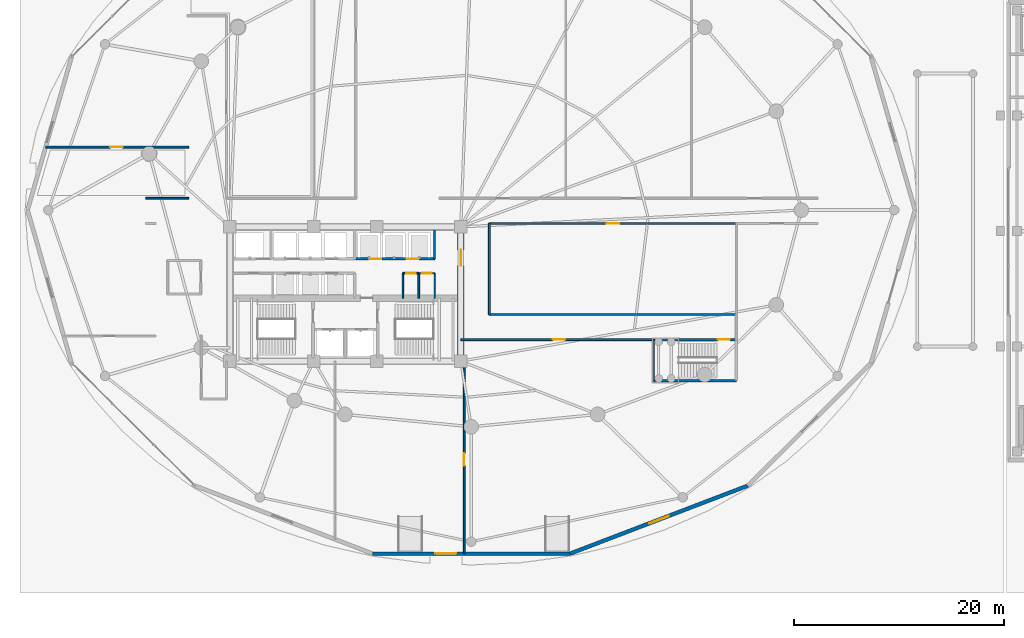
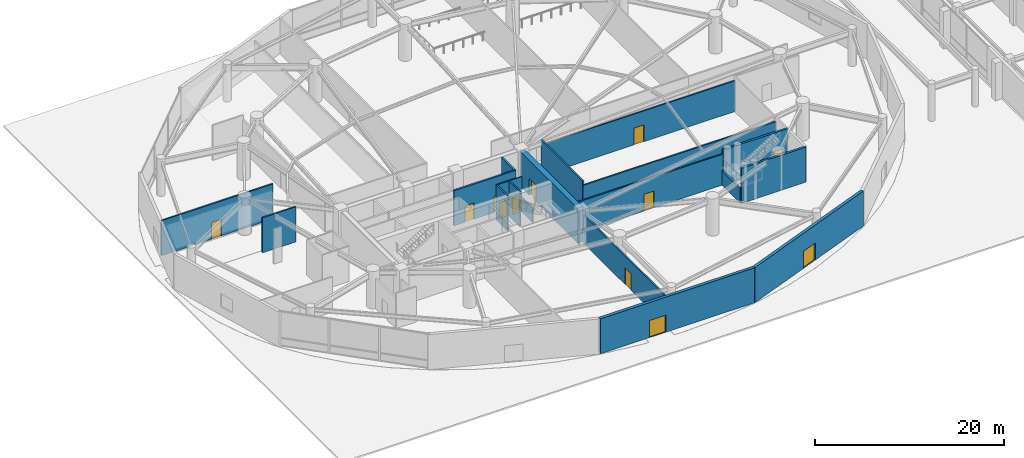
# One storey, part 23 of 35: 20 walls, 12 doors, 12 openings.
"""IFC4 building model written with IfcOpenShell, lengths in metres."""

from ifc_helpers import new_model, si_unit, direction, frame, frame_2d, origin, place, context, subcontext, project, spatial, rectangle, extrude, material, layer, layer_set, type_object, element, fill, save


model = new_model("IFC4")

# Units and contexts
model_context = context("Model", 3, precision=1e-05, world=origin(), true_north=direction((0.0, 1.0)))
body_context = subcontext(model_context, "Body", "Model", "MODEL_VIEW")
ifc_project = project(units=[si_unit("LENGTHUNIT", "METRE"), si_unit("AREAUNIT", "SQUARE_METRE"), si_unit("VOLUMEUNIT", "CUBIC_METRE"), si_unit("PLANEANGLEUNIT", "RADIAN"), si_unit("MASSUNIT", "GRAM", prefix="KILO")], contexts=[model_context])

# Site, building, storey
site_placement = place(None, origin())
site = spatial("IfcSite", under=ifc_project, at=site_placement, CompositionType="ELEMENT")
building_placement = place(site_placement, origin())
building = spatial("IfcBuilding", under=site, at=building_placement, Name="Kazevale Care Tower and Concert Hall", CompositionType="ELEMENT")
storey_placement = place(building_placement, origin())
storey = spatial("IfcBuildingStorey", under=building, at=storey_placement, Name="L00", CompositionType="ELEMENT", Elevation=0.0)

# Wall
ifc_material_1 = material(Name="Acoustic Gypsum on Steel Stud", Category="steel")
ifc_layer_1 = layer(ifc_material_1, 0.139892578125)
ifc_layer_set_1 = layer_set([ifc_layer_1], Name="Acoustic Gypsum on Steel Stud")
wall_type_1 = type_object("IfcWallType", Name="Acoustic Care & Suite Partition 140", PredefinedType="PARTITIONING", material=ifc_layer_set_1)
wall_1_placement = place(storey_placement, frame((41.52001953125, 29.6201171875, 0.0), z_axis=(0.0, 0.0, 1.0), x_axis=(0.0, 1.0, 0.0)))
element("IfcWall", 1, at=wall_1_placement, inside=storey, type_object=wall_type_1, Name="wall:L00:ka_ee", PredefinedType="PARTITIONING", context=body_context, shape_type="SweptSolid", body=[
    extrude(rectangle(XDim=2.35986328125, YDim=0.139892578125, at=frame_2d((1.179931640625, 0.0))), origin(), (0.0, 0.0, 1.0), 1.886962890625),
])

# Wall, opening, door
wall_2_placement = place(storey_placement, frame((40.0, 31.97998046875, 0.0), z_axis=(0.0, 0.0, 1.0), x_axis=(1.0, 0.0, 0.0)))
wall_2 = element("IfcWall", 2, at=wall_2_placement, inside=storey, type_object=wall_type_1, Name="wall:L00:ka_en2", PredefinedType="PARTITIONING", context=body_context, shape_type="SweptSolid", body=[
    extrude(rectangle(XDim=1.52001953125, YDim=0.139892578125, at=frame_2d((0.760009765625, 0.0))), origin(), (0.0, 0.0, 1.0), 4.52001953125),
])
opening_1_placement = place(wall_2_placement, frame((0.320068359375, 0.0, 0.0)))
opening_1 = element("IfcOpeningElement", 3, at=opening_1_placement, cuts=wall_2, Name="Opening ID-900", PredefinedType="OPENING", context=body_context, shape_type="SweptSolid", body=[
    extrude(rectangle(XDim=0.919921875, YDim=2.10009765625, at=frame_2d((0.4599609375, 1.050048828125))), frame((0.0, 0.079833984375, 0.0), z_axis=(0.0, -1.0, 0.0), x_axis=(1.0, 0.0, 0.0)), (0.0, 0.0, 1.0), 0.159912109375),
])
ifc_material_2 = material(Name="Oak Timber Fire Leaf", Category="wood")
door_type_1 = type_object("IfcDoorType", Name="Bathroom & Service Door 920x2100", OperationType="NOTDEFINED", PredefinedType="DOOR", material=ifc_material_2)
door_1_placement = place(opening_1_placement, origin())
door_1 = element("IfcDoor", 4, at=door_1_placement, inside=storey, type_object=door_type_1, Name="door:L00:d_kae2", OperationType="SINGLE_SWING_RIGHT", OverallHeight=2.10009765625, OverallWidth=0.919921875, PredefinedType="DOOR", context=body_context, shape_type="SweptSolid", body=[
    extrude(rectangle(XDim=0.919921875, YDim=2.10009765625, at=frame_2d((0.4599609375, 1.050048828125))), frame((0.0, 0.02490234375, 0.0), z_axis=(0.0, -1.0, 0.0), x_axis=(1.0, 0.0, 0.0)), (0.0, 0.0, 1.0), 0.050048828125),
])
fill(opening_1, door_1)

ifc_material_3 = material(Name="Concrete C70", Category="concrete")
ifc_layer_2 = layer(ifc_material_3, 0.64990234375)
ifc_layer_set_2 = layer_set([ifc_layer_2], Name="Concrete C70")
wall_type_2 = type_object("IfcWallType", Name="Core Shear Wall 650 C70", PredefinedType="SHEAR", material=ifc_layer_set_2)
wall_3_placement = place(storey_placement, frame((44.0, 23.925048828125, 0.0), z_axis=(0.0, 0.0, 1.0), x_axis=(0.0, 1.0, 0.0)))
wall_3 = element("IfcWall", 5, at=wall_3_placement, inside=storey, type_object=wall_type_2, Name="wall:L00:core:E", PredefinedType="SHEAR", context=body_context, shape_type="SweptSolid", body=[
    extrude(rectangle(XDim=12.14990234375, YDim=0.64990234375, at=frame_2d((6.074951171875, 0.0))), origin(), (0.0, 0.0, 1.0), 4.52001953125),
])
opening_2_placement = place(wall_3_placement, frame((8.77490234375, 0.0, 0.0)))
opening_2 = element("IfcOpeningElement", 6, at=opening_2_placement, cuts=wall_3, Name="Opening FD-60D", PredefinedType="OPENING", context=body_context, shape_type="SweptSolid", body=[
    extrude(rectangle(XDim=1.5, YDim=2.14990234375, at=frame_2d((0.75, 1.074951171875))), frame((0.0, 0.3349609375, 0.0), z_axis=(0.0, -1.0, 0.0), x_axis=(1.0, 0.0, 0.0)), (0.0, 0.0, 1.0), 0.669921875),
])
door_type_2 = type_object("IfcDoorType", Name="Double Lobby & Auditorium Fire Door 1500x2150", OperationType="NOTDEFINED", PredefinedType="DOOR", material=ifc_material_2)
door_2_placement = place(opening_2_placement, origin())
door_2 = element("IfcDoor", 7, at=door_2_placement, inside=storey, type_object=door_type_2, Name="door:L00:core_east_out", OperationType="DOUBLE_DOOR_SINGLE_SWING", OverallHeight=2.14990234375, OverallWidth=1.5, PredefinedType="DOOR", context=body_context, shape_type="SweptSolid", body=[
    extrude(rectangle(XDim=1.5, YDim=2.14990234375, at=frame_2d((0.75, 1.074951171875))), frame((0.0, 0.02490234375, 0.0), z_axis=(0.0, -1.0, 0.0), x_axis=(1.0, 0.0, 0.0)), (0.0, 0.0, 1.0), 0.050048828125),
])
fill(opening_2, door_2)

# Wall, openings, doors
ifc_material_4 = material(Name="Concrete C40", Category="concrete")
ifc_layer_3 = layer(ifc_material_4, 0.219970703125)
ifc_layer_set_3 = layer_set([ifc_layer_3], Name="Concrete C40")
wall_type_3 = type_object("IfcWallType", Name="Elevator Hoistway Shaft Wall 220", PredefinedType="SOLIDWALL", material=ifc_layer_set_3)
wall_4_placement = place(storey_placement, frame((33.97998046875, 33.35009765625, 0.0), z_axis=(0.0, 0.0, 1.0), x_axis=(1.0, 0.0, 0.0)))
wall_4 = element("IfcWall", 8, at=wall_4_placement, inside=storey, type_object=wall_type_3, Name="wall:L00:c_pm_s", PredefinedType="SOLIDWALL", context=body_context, shape_type="SweptSolid", body=[
    extrude(rectangle(XDim=7.5400390625, YDim=0.219970703125, at=frame_2d((3.77001953125, 0.0))), origin(), (0.0, 0.0, 1.0), 4.52001953125),
])
opening_3_placement = place(wall_4_placement, frame((1.3349609375, 0.0, 0.0)))
opening_3 = element("IfcOpeningElement", 9, at=opening_3_placement, cuts=wall_4, Name="Opening LD-PAX", PredefinedType="OPENING", context=body_context, shape_type="SweptSolid", body=[
    extrude(rectangle(XDim=1.10009765625, YDim=2.10009765625, at=frame_2d((0.550048828125, 1.050048828125))), frame((0.0, 0.119873046875, 0.0), z_axis=(0.0, -1.0, 0.0), x_axis=(1.0, 0.0, 0.0)), (0.0, 0.0, 1.0), 0.239990234375),
])
opening_4_placement = place(wall_4_placement, frame((4.87890625, 0.0, 0.0)))
opening_4 = element("IfcOpeningElement", 10, at=opening_4_placement, cuts=wall_4, Name="Opening LD-PAX", PredefinedType="OPENING", context=body_context, shape_type="SweptSolid", body=[
    extrude(rectangle(XDim=1.10009765625, YDim=2.10009765625, at=frame_2d((0.550048828125, 1.050048828125))), frame((0.0, 0.119873046875, 0.0), z_axis=(0.0, -1.0, 0.0), x_axis=(1.0, 0.0, 0.0)), (0.0, 0.0, 1.0), 0.239990234375),
])
ifc_material_5 = material(Name="Stainless Steel 316", Category="steel")
door_type_3 = type_object("IfcDoorType", Name="Passenger Lift Sliding Landing Door 1100x2100", OperationType="NOTDEFINED", PredefinedType="DOOR", material=ifc_material_5)
door_3_placement = place(opening_3_placement, origin())
door_3 = element("IfcDoor", 11, at=door_3_placement, inside=storey, type_object=door_type_3, Name="door:L00:ld_pm1", OperationType="SLIDING_TO_LEFT", OverallHeight=2.10009765625, OverallWidth=1.10009765625, PredefinedType="DOOR", context=body_context, shape_type="SweptSolid", body=[
    extrude(rectangle(XDim=1.10009765625, YDim=2.10009765625, at=frame_2d((0.550048828125, 1.050048828125))), frame((0.0, 0.02490234375, 0.0), z_axis=(0.0, -1.0, 0.0), x_axis=(1.0, 0.0, 0.0)), (0.0, 0.0, 1.0), 0.050048828125),
])
fill(opening_3, door_3)
door_4_placement = place(opening_4_placement, origin())
door_4 = element("IfcDoor", 12, at=door_4_placement, inside=storey, type_object=door_type_3, Name="door:L00:ld_pm2", OperationType="SLIDING_TO_RIGHT", OverallHeight=2.10009765625, OverallWidth=1.10009765625, PredefinedType="DOOR", context=body_context, shape_type="SweptSolid", body=[
    extrude(rectangle(XDim=1.10009765625, YDim=2.10009765625, at=frame_2d((0.550048828125, 1.050048828125))), frame((0.0, 0.02490234375, 0.0), z_axis=(0.0, -1.0, 0.0), x_axis=(1.0, 0.0, 0.0)), (0.0, 0.0, 1.0), 0.050048828125),
])
fill(opening_4, door_4)

# Wall
wall_5_placement = place(storey_placement, frame((41.5, 33.35009765625, 0.0), z_axis=(0.0, 0.0, 1.0), x_axis=(0.0, 1.0, 0.0)))
element("IfcWall", 13, at=wall_5_placement, inside=storey, type_object=wall_type_3, Name="wall:L00:c_pm_e", PredefinedType="SOLIDWALL", context=body_context, shape_type="SweptSolid", body=[
    extrude(rectangle(XDim=2.75, YDim=0.219970703125, at=frame_2d((1.375, 0.0))), origin(), (0.0, 0.0, 1.0), 4.52001953125),
])

# Wall, opening, door
ifc_material_6 = material(Name="Concrete C40 and Acoustic Gypsum", Category="concrete")
ifc_layer_4 = layer(ifc_material_6, 0.179931640625)
ifc_layer_set_4 = layer_set([ifc_layer_4], Name="Concrete C40 and Acoustic Gypsum")
wall_type_4 = type_object("IfcWallType", Name="Fire-Rated Corridor & Party Wall 180", PredefinedType="PARTITIONING", material=ifc_layer_set_4)
wall_6_placement = place(storey_placement, frame((18.06494140625, 44.0, 0.0), z_axis=(0.0, 0.0, 1.0), x_axis=(-1.0, 0.0, 0.0)))
wall_6 = element("IfcWall", 14, at=wall_6_placement, inside=storey, type_object=wall_type_4, Name="wall:L00:auto_001", PredefinedType="PARTITIONING", context=body_context, shape_type="SweptSolid", body=[
    extrude(rectangle(XDim=13.610595703125, YDim=0.179931640625, at=frame_2d((6.80517578125, 0.0))), origin(), (0.0, 0.0, 1.0), 4.52001953125),
])
opening_5_placement = place(wall_6_placement, frame((6.285888671875, 0.0, 0.0)))
opening_5 = element("IfcOpeningElement", 15, at=opening_5_placement, cuts=wall_6, Name="Opening ID-1200", PredefinedType="OPENING", context=body_context, shape_type="SweptSolid", body=[
    extrude(rectangle(XDim=1.199951171875, YDim=2.14990234375, at=frame_2d((0.60009765625, 1.074951171875))), frame((0.0, 0.099853515625, 0.0), z_axis=(0.0, -1.0, 0.0), x_axis=(1.0, 0.0, 0.0)), (0.0, 0.0, 1.0), 0.199951171875),
])
door_type_4 = type_object("IfcDoorType", Name="Clinical & Therapy Door 1200x2150", OperationType="NOTDEFINED", PredefinedType="DOOR", material=ifc_material_2)
door_5_placement = place(opening_5_placement, origin())
door_5 = element("IfcDoor", 16, at=door_5_placement, inside=storey, type_object=door_type_4, Name="door:L00:ad_001", OperationType="SINGLE_SWING_LEFT", OverallHeight=2.14990234375, OverallWidth=1.199951171875, PredefinedType="DOOR", context=body_context, shape_type="SweptSolid", body=[
    extrude(rectangle(XDim=1.199951171875, YDim=2.14990234375, at=frame_2d((0.60009765625, 1.074951171875))), frame((0.0, 0.02490234375, 0.0), z_axis=(0.0, -1.0, 0.0), x_axis=(1.0, 0.0, 0.0)), (0.0, 0.0, 1.0), 0.050048828125),
])
fill(opening_5, door_5)

# Wall
wall_7_placement = place(storey_placement, frame((13.969970703125, 39.125, 0.0), z_axis=(0.0, 0.0, 1.0), x_axis=(1.0, 0.0, 0.0)))
element("IfcWall", 17, at=wall_7_placement, inside=storey, type_object=wall_type_4, Name="wall:L00:auto_002", PredefinedType="PARTITIONING", context=body_context, shape_type="SweptSolid", body=[
    extrude(rectangle(XDim=4.094970703125, YDim=0.179931640625, at=frame_2d((2.04736328125, 0.0))), origin(), (0.0, 0.0, 1.0), 4.52001953125),
])

# Wall, opening, door
wall_8_placement = place(storey_placement, frame((62.4150390625, 25.64990234375, 0.0), z_axis=(0.0, 0.0, 1.0), x_axis=(-1.0, 0.0, 0.0)))
wall_8 = element("IfcWall", 18, at=wall_8_placement, inside=storey, type_object=wall_type_4, Name="wall:L00:auto_011", PredefinedType="PARTITIONING", context=body_context, shape_type="SweptSolid", body=[
    extrude(rectangle(XDim=18.405029296875, YDim=0.179931640625, at=frame_2d((9.20263671875, 0.0))), origin(), (0.0, 0.0, 1.0), 3.966064453125),
])
opening_6_placement = place(wall_8_placement, frame((8.4599609375, 0.0, 0.0)))
opening_6 = element("IfcOpeningElement", 19, at=opening_6_placement, cuts=wall_8, Name="Opening ID-1200", PredefinedType="OPENING", context=body_context, shape_type="SweptSolid", body=[
    extrude(rectangle(XDim=1.199951171875, YDim=2.14990234375, at=frame_2d((0.60009765625, 1.074951171875))), frame((0.0, 0.099853515625, 0.0), z_axis=(0.0, -1.0, 0.0), x_axis=(1.0, 0.0, 0.0)), (0.0, 0.0, 1.0), 0.199951171875),
])
door_6_placement = place(opening_6_placement, origin())
door_6 = element("IfcDoor", 20, at=door_6_placement, inside=storey, type_object=door_type_4, Name="door:L00:ad_011", OperationType="SINGLE_SWING_LEFT", OverallHeight=2.14990234375, OverallWidth=1.199951171875, PredefinedType="DOOR", context=body_context, shape_type="SweptSolid", body=[
    extrude(rectangle(XDim=1.199951171875, YDim=2.14990234375, at=frame_2d((0.60009765625, 1.074951171875))), frame((0.0, 0.02490234375, 0.0), z_axis=(0.0, -1.0, 0.0), x_axis=(1.0, 0.0, 0.0)), (0.0, 0.0, 1.0), 0.050048828125),
])
fill(opening_6, door_6)

wall_9_placement = place(storey_placement, frame((70.31494140625, 36.72509765625, 0.0), z_axis=(0.0, 0.0, 1.0), x_axis=(-1.0, 0.0, 0.0)))
wall_9 = element("IfcWall", 21, at=wall_9_placement, inside=storey, type_object=wall_type_4, Name="wall:L00:auto_012", PredefinedType="PARTITIONING", context=body_context, shape_type="SweptSolid", body=[
    extrude(rectangle(XDim=23.619873046875, YDim=0.179931640625, at=frame_2d((11.81005859375, 0.0))), origin(), (0.0, 0.0, 1.0), 3.966064453125),
])
opening_7_placement = place(wall_9_placement, frame((11.2099609375, 0.0, 0.0)))
opening_7 = element("IfcOpeningElement", 22, at=opening_7_placement, cuts=wall_9, Name="Opening ID-1200", PredefinedType="OPENING", context=body_context, shape_type="SweptSolid", body=[
    extrude(rectangle(XDim=1.199951171875, YDim=2.14990234375, at=frame_2d((0.60009765625, 1.074951171875))), frame((0.0, 0.099853515625, 0.0), z_axis=(0.0, -1.0, 0.0), x_axis=(1.0, 0.0, 0.0)), (0.0, 0.0, 1.0), 0.199951171875),
])
door_7_placement = place(opening_7_placement, origin())
door_7 = element("IfcDoor", 23, at=door_7_placement, inside=storey, type_object=door_type_4, Name="door:L00:ad_012", OperationType="SINGLE_SWING_LEFT", OverallHeight=2.14990234375, OverallWidth=1.199951171875, PredefinedType="DOOR", context=body_context, shape_type="SweptSolid", body=[
    extrude(rectangle(XDim=1.199951171875, YDim=2.14990234375, at=frame_2d((0.60009765625, 1.074951171875))), frame((0.0, 0.02490234375, 0.0), z_axis=(0.0, -1.0, 0.0), x_axis=(1.0, 0.0, 0.0)), (0.0, 0.0, 1.0), 0.050048828125),
])
fill(opening_7, door_7)

# Walls
wall_10_placement = place(storey_placement, frame((46.695068359375, 28.050048828125, 0.0), z_axis=(0.0, 0.0, 1.0), x_axis=(1.0, 0.0, 0.0)))
element("IfcWall", 24, at=wall_10_placement, inside=storey, type_object=wall_type_4, Name="wall:L00:auto_013", PredefinedType="PARTITIONING", context=body_context, shape_type="SweptSolid", body=[
    extrude(rectangle(XDim=23.5849609375, YDim=0.179931640625, at=frame_2d((11.79248046875, 0.0))), origin(), (0.0, 0.0, 1.0), 3.966064453125),
])
wall_11_placement = place(storey_placement, frame((46.72509765625, 36.7548828125, 0.0), z_axis=(0.0, 0.0, 1.0), x_axis=(0.0, -1.0, 0.0)))
element("IfcWall", 25, at=wall_11_placement, inside=storey, type_object=wall_type_4, Name="wall:L00:auto_014", PredefinedType="PARTITIONING", context=body_context, shape_type="SweptSolid", body=[
    extrude(rectangle(XDim=8.73486328125, YDim=0.179931640625, at=frame_2d((4.367431640625, 0.0))), origin(), (0.0, 0.0, 1.0), 4.52001953125),
])

# Wall, opening, door
wall_12_placement = place(storey_placement, frame((44.324951171875, 5.27197265625, 0.0), z_axis=(0.0, 0.0, 1.0), x_axis=(0.0, 1.0, 0.0)))
wall_12 = element("IfcWall", 26, at=wall_12_placement, inside=storey, type_object=wall_type_4, Name="wall:L00:auto_024", PredefinedType="PARTITIONING", context=body_context, shape_type="SweptSolid", body=[
    extrude(rectangle(XDim=18.318115234375, YDim=0.179931640625, at=frame_2d((9.1591796875, 0.0))), origin(), (0.0, 0.0, 1.0), 3.659912109375),
])
opening_8_placement = place(wall_12_placement, frame((8.34912109375, 0.0, 0.0)))
opening_8 = element("IfcOpeningElement", 27, at=opening_8_placement, cuts=wall_12, Name="Opening ID-1200", PredefinedType="OPENING", context=body_context, shape_type="SweptSolid", body=[
    extrude(rectangle(XDim=1.199951171875, YDim=2.14990234375, at=frame_2d((0.60009765625, 1.074951171875))), frame((0.0, 0.099853515625, 0.0), z_axis=(0.0, -1.0, 0.0), x_axis=(1.0, 0.0, 0.0)), (0.0, 0.0, 1.0), 0.199951171875),
])
door_8_placement = place(opening_8_placement, origin())
door_8 = element("IfcDoor", 28, at=door_8_placement, inside=storey, type_object=door_type_4, Name="door:L00:ad_024", OperationType="SINGLE_SWING_LEFT", OverallHeight=2.14990234375, OverallWidth=1.199951171875, PredefinedType="DOOR", context=body_context, shape_type="SweptSolid", body=[
    extrude(rectangle(XDim=1.199951171875, YDim=2.14990234375, at=frame_2d((0.60009765625, 1.074951171875))), frame((0.0, 0.02490234375, 0.0), z_axis=(0.0, -1.0, 0.0), x_axis=(1.0, 0.0, 0.0)), (0.0, 0.0, 1.0), 0.050048828125),
])
fill(opening_8, door_8)

# Walls
ifc_layer_5 = layer(ifc_material_1, 0.159912109375)
ifc_layer_set_5 = layer_set([ifc_layer_5], Name="Acoustic Gypsum on Steel Stud")
wall_type_5 = type_object("IfcWallType", Name="Moisture-Resistant Bathroom Plumbing Wall 160", PredefinedType="PLUMBINGWALL", material=ifc_layer_set_5)
for number, where, z_axis, x_axis, name in (
    (29, (38.47998046875, 29.6201171875, 0.0), (0.0, 0.0, 1.0), (0.0, 1.0, 0.0), "wall:L00:ka_ew"),
    (30, (40.0, 29.6201171875, 0.0), (0.0, 0.0, 1.0), (0.0, 1.0, 0.0), "wall:L00:ka_em"),
):
    element("IfcWall", number, at=place(storey_placement, frame(where, z_axis=z_axis, x_axis=x_axis)), inside=storey, type_object=wall_type_5, Name=name, PredefinedType="PLUMBINGWALL", context=body_context, shape_type="SweptSolid", body=[
        extrude(rectangle(XDim=2.35986328125, YDim=0.159912109375, at=frame_2d((1.179931640625, 0.0))), origin(), (0.0, 0.0, 1.0), 4.52001953125),
    ])

# Wall, opening, door
wall_13_placement = place(storey_placement, frame((38.47998046875, 31.97998046875, 0.0), z_axis=(0.0, 0.0, 1.0), x_axis=(1.0, 0.0, 0.0)))
wall_13 = element("IfcWall", 31, at=wall_13_placement, inside=storey, type_object=wall_type_5, Name="wall:L00:ka_en1", PredefinedType="PLUMBINGWALL", context=body_context, shape_type="SweptSolid", body=[
    extrude(rectangle(XDim=1.52001953125, YDim=0.159912109375, at=frame_2d((0.760009765625, 0.0))), origin(), (0.0, 0.0, 1.0), 4.52001953125),
])
opening_9_placement = place(wall_13_placement, frame((0.320068359375, 0.0, 0.0)))
opening_9 = element("IfcOpeningElement", 32, at=opening_9_placement, cuts=wall_13, Name="Opening ID-900", PredefinedType="OPENING", context=body_context, shape_type="SweptSolid", body=[
    extrude(rectangle(XDim=0.919921875, YDim=2.10009765625, at=frame_2d((0.4599609375, 1.050048828125))), frame((0.0, 0.08984375, 0.0), z_axis=(0.0, -1.0, 0.0), x_axis=(1.0, 0.0, 0.0)), (0.0, 0.0, 1.0), 0.179931640625),
])
door_9_placement = place(opening_9_placement, origin())
door_9 = element("IfcDoor", 33, at=door_9_placement, inside=storey, type_object=door_type_1, Name="door:L00:d_kae1", OperationType="SINGLE_SWING_LEFT", OverallHeight=2.10009765625, OverallWidth=0.919921875, PredefinedType="DOOR", context=body_context, shape_type="SweptSolid", body=[
    extrude(rectangle(XDim=0.919921875, YDim=2.10009765625, at=frame_2d((0.4599609375, 1.050048828125))), frame((0.0, 0.02490234375, 0.0), z_axis=(0.0, -1.0, 0.0), x_axis=(1.0, 0.0, 0.0)), (0.0, 0.0, 1.0), 0.050048828125),
])
fill(opening_9, door_9)

ifc_material_7 = material(Name="Concrete C40 with Honed Limestone Cladding", Category="masonry")
ifc_layer_6 = layer(ifc_material_7, 0.360107421875)
ifc_layer_set_6 = layer_set([ifc_layer_6], Name="Concrete C40 with Honed Limestone Cladding")
wall_type_6 = type_object("IfcWallType", Name="Podium Insulated Limestone Wall 360", PredefinedType="STANDARD", material=ifc_layer_set_6)
wall_14_placement = place(storey_placement, frame((54.407958984375, 5.261962890625, 0.0), z_axis=(0.0, 0.0, 1.0), x_axis=(-1.0, 0.0, 0.0)))
wall_14 = element("IfcWall", 34, at=wall_14_placement, inside=storey, type_object=wall_type_6, Name="wall:L00:podew:11", PredefinedType="STANDARD", context=body_context, shape_type="SweptSolid", body=[
    extrude(rectangle(XDim=18.81591796875, YDim=0.360107421875, at=frame_2d((9.407958984375, 0.0))), origin(), (0.0, 0.0, 1.0), 4.52001953125),
])
opening_10_placement = place(wall_14_placement, frame((10.827880859375, 0.0, 0.0)))
opening_10 = element("IfcOpeningElement", 35, at=opening_10_placement, cuts=wall_14, Name="Opening ED-2000", PredefinedType="OPENING", context=body_context, shape_type="SweptSolid", body=[
    extrude(rectangle(XDim=2.0, YDim=2.199951171875, at=frame_2d((1.0, 1.10009765625))), frame((0.0, 0.18994140625, 0.0), z_axis=(0.0, -1.0, 0.0), x_axis=(1.0, 0.0, 0.0)), (0.0, 0.0, 1.0), 0.380126953125),
])
ifc_material_8 = material(Name="Aluminium 6063-T6 and Low-E Glass", Category="aluminium")
door_type_5 = type_object("IfcDoorType", Name="Ground Final Exit Double Door 2000x2200", OperationType="NOTDEFINED", PredefinedType="DOOR", material=ifc_material_8)
door_10_placement = place(opening_10_placement, origin())
door_10 = element("IfcDoor", 36, at=door_10_placement, inside=storey, type_object=door_type_5, Name="door:L00:ED-02", OperationType="DOUBLE_DOOR_SINGLE_SWING", OverallHeight=2.199951171875, OverallWidth=2.0, PredefinedType="DOOR", context=body_context, shape_type="SweptSolid", body=[
    extrude(rectangle(XDim=2.0, YDim=2.199951171875, at=frame_2d((1.0, 1.10009765625))), frame((0.0, 0.02490234375, 0.0), z_axis=(0.0, -1.0, 0.0), x_axis=(1.0, 0.0, 0.0)), (0.0, 0.0, 1.0), 0.050048828125),
])
fill(opening_10, door_10)

wall_15_placement = place(storey_placement, frame((71.361083984375, 11.74609375, 0.0), z_axis=(0.0, 0.0, 1.0), x_axis=(-0.934014086565, -0.357236176917, 0.0)))
wall_15 = element("IfcWall", 37, at=wall_15_placement, inside=storey, type_object=wall_type_6, Name="wall:L00:podew:12", PredefinedType="STANDARD", context=body_context, shape_type="SweptSolid", body=[
    extrude(rectangle(XDim=18.15087890625, YDim=0.360107421875, at=frame_2d((9.075439453125, 0.0))), origin(), (0.0, 0.0, 1.0), 4.52001953125),
])
opening_11_placement = place(wall_15_placement, frame((8.074951171875, 0.0, 0.0)))
opening_11 = element("IfcOpeningElement", 38, at=opening_11_placement, cuts=wall_15, Name="Opening ED-2000", PredefinedType="OPENING", context=body_context, shape_type="SweptSolid", body=[
    extrude(rectangle(XDim=2.0, YDim=2.199951171875, at=frame_2d((1.0, 1.10009765625))), frame((0.0, 0.18994140625, 0.0), z_axis=(0.0, -1.0, 0.0), x_axis=(1.0, 0.0, 0.0)), (0.0, 0.0, 1.0), 0.380126953125),
])
door_11_placement = place(opening_11_placement, origin())
door_11 = element("IfcDoor", 39, at=door_11_placement, inside=storey, type_object=door_type_5, Name="door:L00:ED-03", OperationType="DOUBLE_DOOR_SINGLE_SWING", OverallHeight=2.199951171875, OverallWidth=2.0, PredefinedType="DOOR", context=body_context, shape_type="SweptSolid", body=[
    extrude(rectangle(XDim=2.0, YDim=2.199951171875, at=frame_2d((1.0, 1.10009765625))), frame((0.0, 0.02490234375, 0.0), z_axis=(0.0, -1.0, 0.0), x_axis=(1.0, 0.0, 0.0)), (0.0, 0.0, 1.0), 0.050048828125),
])
fill(opening_11, door_11)

ifc_layer_7 = layer(ifc_material_4, 0.25)
ifc_layer_set_7 = layer_set([ifc_layer_7], Name="Concrete C40")
wall_type_7 = type_object("IfcWallType", Name="Pressurized Stair Shaft Wall 250", PredefinedType="SOLIDWALL", material=ifc_layer_set_7)
wall_16_placement = place(storey_placement, frame((62.35009765625, 25.64990234375, 0.0), z_axis=(0.0, 0.0, 1.0), x_axis=(1.0, 0.0, 0.0)))
wall_16 = element("IfcWall", 40, at=wall_16_placement, inside=storey, type_object=wall_type_7, Name="wall:L00:pod_st3_n", PredefinedType="SOLIDWALL", context=body_context, shape_type="SweptSolid", body=[
    extrude(rectangle(XDim=7.89990234375, YDim=0.25, at=frame_2d((3.949951171875, 0.0))), origin(), (0.0, 0.0, 1.0), 4.52001953125),
])
opening_12_placement = place(wall_16_placement, frame((6.139892578125, 0.0, 0.0)))
opening_12 = element("IfcOpeningElement", 41, at=opening_12_placement, cuts=wall_16, Name="Opening FD-90", PredefinedType="OPENING", context=body_context, shape_type="SweptSolid", body=[
    extrude(rectangle(XDim=1.14990234375, YDim=2.10009765625, at=frame_2d((0.574951171875, 1.050048828125))), frame((0.0, 0.135009765625, 0.0), z_axis=(0.0, -1.0, 0.0), x_axis=(1.0, 0.0, 0.0)), (0.0, 0.0, 1.0), 0.27001953125),
])
ifc_material_9 = material(Name="Steel ASTM A572 Gr 50", Category="steel")
door_type_6 = type_object("IfcDoorType", Name="Pressurized Stair & Lobby Fire Door 1150x2100", OperationType="NOTDEFINED", PredefinedType="DOOR", material=ifc_material_9)
door_12_placement = place(opening_12_placement, origin())
door_12 = element("IfcDoor", 42, at=door_12_placement, inside=storey, type_object=door_type_6, Name="door:L00:pod_st3d", OperationType="SINGLE_SWING_RIGHT", OverallHeight=2.10009765625, OverallWidth=1.14990234375, PredefinedType="DOOR", context=body_context, shape_type="SweptSolid", body=[
    extrude(rectangle(XDim=1.14990234375, YDim=2.10009765625, at=frame_2d((0.574951171875, 1.050048828125))), frame((0.0, 0.02490234375, 0.0), z_axis=(0.0, -1.0, 0.0), x_axis=(1.0, 0.0, 0.0)), (0.0, 0.0, 1.0), 0.050048828125),
])
fill(opening_12, door_12)

# Walls
wall_17_placement = place(storey_placement, frame((62.35009765625, 21.75, 0.0), z_axis=(0.0, 0.0, 1.0), x_axis=(1.0, 0.0, 0.0)))
element("IfcWall", 43, at=wall_17_placement, inside=storey, type_object=wall_type_7, Name="wall:L00:pod_st3_s", PredefinedType="SOLIDWALL", context=body_context, shape_type="SweptSolid", body=[
    extrude(rectangle(XDim=7.89990234375, YDim=0.25, at=frame_2d((3.949951171875, 0.0))), origin(), (0.0, 0.0, 1.0), 4.52001953125),
])
wall_18_placement = place(storey_placement, frame((62.35009765625, 21.75, 0.0), z_axis=(0.0, 0.0, 1.0), x_axis=(0.0, 1.0, 0.0)))
element("IfcWall", 44, at=wall_18_placement, inside=storey, type_object=wall_type_7, Name="wall:L00:pod_st3_w", PredefinedType="SOLIDWALL", context=body_context, shape_type="SweptSolid", body=[
    extrude(rectangle(XDim=3.89990234375, YDim=0.25, at=frame_2d((1.949951171875, 0.0))), origin(), (0.0, 0.0, 1.0), 1.886962890625),
])

save(model, "model.ifc")
